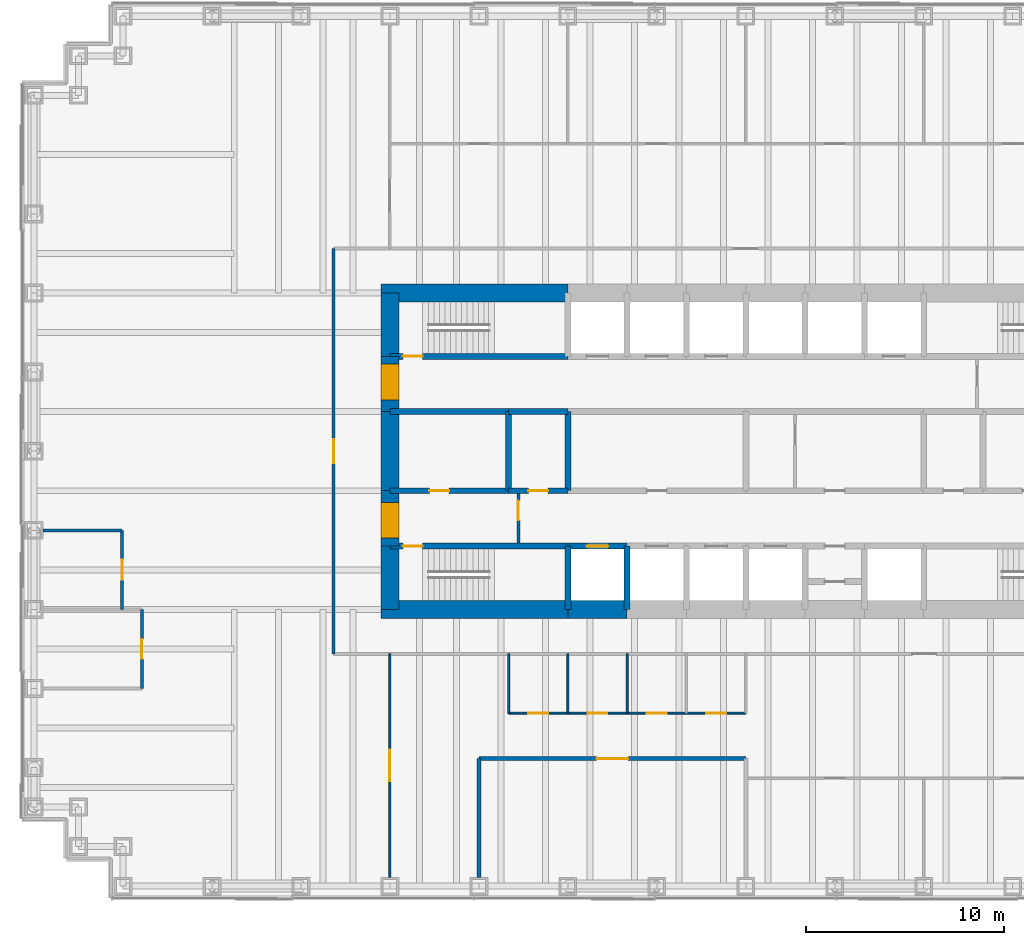
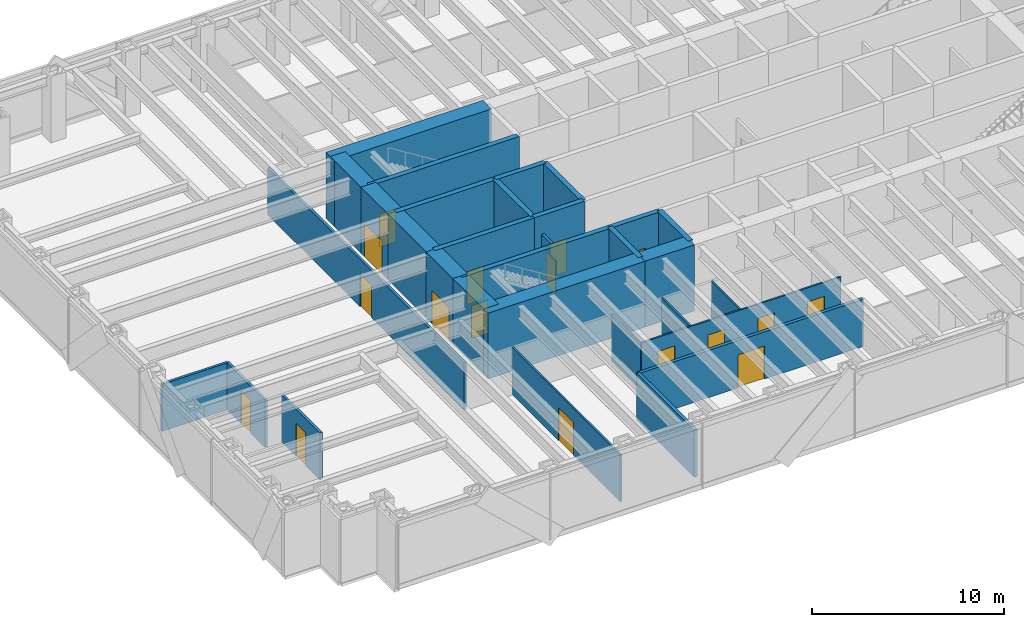
# One storey, part 11 of 15: 31 walls, 17 doors, 17 openings.
"""IFC4 building model written with IfcOpenShell, lengths in metres."""

from ifc_helpers import new_model, si_unit, direction, frame, frame_2d, origin, place, context, subcontext, project, spatial, rectangle, extrude, material, layer, layer_set, type_object, element, fill, save


model = new_model("IFC4")

# Units and contexts
model_context = context("Model", 3, precision=1e-05, world=origin(), true_north=direction((0.0, 1.0)))
body_context = subcontext(model_context, "Body", "Model", "MODEL_VIEW")
ifc_project = project(units=[si_unit("LENGTHUNIT", "METRE"), si_unit("AREAUNIT", "SQUARE_METRE"), si_unit("VOLUMEUNIT", "CUBIC_METRE"), si_unit("PLANEANGLEUNIT", "RADIAN"), si_unit("MASSUNIT", "GRAM", prefix="KILO")], contexts=[model_context])

# Site, building, storey
site_placement = place(None, origin())
site = spatial("IfcSite", under=ifc_project, at=site_placement, CompositionType="ELEMENT")
building_placement = place(site_placement, origin())
building = spatial("IfcBuilding", under=site, at=building_placement, Name="Rheinbord Bourse Tower", CompositionType="ELEMENT")
storey_placement = place(building_placement, frame((0.0, 0.0, 117.300048828125)))
storey = spatial("IfcBuildingStorey", under=building, at=storey_placement, Name="L25", CompositionType="ELEMENT", Elevation=117.300048828125)

# Wall, opening, door
ifc_material_1 = material(Name="Acoustic gypsum board partition", Category="gypsum board")
ifc_layer_1 = layer(ifc_material_1, 0.199951171875)
ifc_layer_set_1 = layer_set([ifc_layer_1], Name="ACOUSTIC PARTITION 200")
wall_type_1 = type_object("IfcWallType", Name="ACOUSTIC PARTITION 200", PredefinedType="PARTITIONING", material=ifc_layer_set_1)
wall_1_placement = place(storey_placement, frame((22.5, 8.449951171875, 0.0), z_axis=(0.0, 0.0, 1.0), x_axis=(1.0, 0.0, 0.0)))
wall_1 = element("IfcWall", 1, at=wall_1_placement, inside=storey, type_object=wall_type_1, Name="Partition L25-02", PredefinedType="PARTITIONING", context=body_context, shape_type="SweptSolid", body=[
    extrude(rectangle(XDim=13.5, YDim=0.199951171875, at=frame_2d((6.75, 0.0))), origin(), (0.0, 0.0, 1.0), 3.0),
])
opening_1_placement = place(wall_1_placement, frame((5.949951171875, 0.0, 0.0)))
opening_1 = element("IfcOpeningElement", 2, at=opening_1_placement, cuts=wall_1, Name="Opening 25D03", PredefinedType="OPENING", context=body_context, shape_type="SweptSolid", body=[
    extrude(rectangle(XDim=1.60009765625, YDim=2.10009765625, at=frame_2d((0.800048828125, 1.050048828125))), frame((0.0, 0.10986328125, 0.0), z_axis=(0.0, -1.0, 0.0), x_axis=(1.0, 0.0, 0.0)), (0.0, 0.0, 1.0), 0.219970703125),
])
ifc_material_2 = material(Name="Timber door", Category="wood")
door_type_1 = type_object("IfcDoorType", Name="DOUBLE ROOM DOOR 1600", OperationType="DOUBLE_DOOR_DOUBLE_SWING", PredefinedType="DOOR", material=ifc_material_2)
door_1_placement = place(opening_1_placement, origin())
door_1 = element("IfcDoor", 3, at=door_1_placement, inside=storey, type_object=door_type_1, Name="Test laboratory door L25", OperationType="SINGLE_SWING_LEFT", OverallHeight=2.10009765625, OverallWidth=1.60009765625, PredefinedType="DOOR", context=body_context, shape_type="SweptSolid", body=[
    extrude(rectangle(XDim=1.60009765625, YDim=2.10009765625, at=frame_2d((0.800048828125, 1.050048828125))), frame((0.0, 0.02490234375, 0.0), z_axis=(0.0, -1.0, 0.0), x_axis=(1.0, 0.0, 0.0)), (0.0, 0.0, 1.0), 0.050048828125),
])
fill(opening_1, door_1)

# Wall
wall_2_placement = place(storey_placement, frame((22.5, 2.449951171875, 0.0), z_axis=(0.0, 0.0, 1.0), x_axis=(0.0, 1.0, 0.0)))
element("IfcWall", 4, at=wall_2_placement, inside=storey, type_object=wall_type_1, Name="Partition L25-17", PredefinedType="PARTITIONING", context=body_context, shape_type="SweptSolid", body=[
    extrude(rectangle(XDim=6.0, YDim=0.199951171875, at=frame_2d((3.0, 0.0))), origin(), (0.0, 0.0, 1.0), 3.0),
])

# Wall, opening, door
ifc_material_3 = material(Name="Concrete C50/60", Category="concrete")
ifc_layer_2 = layer(ifc_material_3, 0.300048828125)
ifc_layer_set_2 = layer_set([ifc_layer_2], Name="CORE INNER WALL 300")
wall_type_2 = type_object("IfcWallType", Name="CORE INNER WALL 300", PredefinedType="SOLIDWALL", material=ifc_layer_set_2)
wall_3_placement = place(storey_placement, frame((18.0, 19.199951171875, 0.0), z_axis=(0.0, 0.0, 1.0), x_axis=(1.0, 0.0, 0.0)))
wall_3 = element("IfcWall", 5, at=wall_3_placement, inside=storey, type_object=wall_type_2, Name="Core wall A1 L25", PredefinedType="SOLIDWALL", context=body_context, shape_type="SweptSolid", body=[
    extrude(rectangle(XDim=9.0, YDim=0.300048828125, at=frame_2d((4.5, 0.0))), origin(), (0.0, 0.0, 1.0), 4.199951171875),
])
opening_2_placement = place(wall_3_placement, frame((0.64990234375, 0.0, 0.0)))
opening_2 = element("IfcOpeningElement", 6, at=opening_2_placement, cuts=wall_3, Name="Opening 2510", PredefinedType="OPENING", context=body_context, shape_type="SweptSolid", body=[
    extrude(rectangle(XDim=1.0, YDim=2.10009765625, at=frame_2d((0.5, 1.050048828125))), frame((0.0, 0.159912109375, 0.0), z_axis=(0.0, -1.0, 0.0), x_axis=(1.0, 0.0, 0.0)), (0.0, 0.0, 1.0), 0.320068359375),
])
ifc_material_4 = material(Name="Steel door", Category="steel")
door_type_2 = type_object("IfcDoorType", Name="DOOR 1000 EI30", OperationType="SINGLE_SWING_LEFT", PredefinedType="DOOR", material=ifc_material_4)
door_2_placement = place(opening_2_placement, origin())
door_2 = element("IfcDoor", 7, at=door_2_placement, inside=storey, type_object=door_type_2, Name="Stair door ST1 L25", OperationType="SINGLE_SWING_LEFT", OverallHeight=2.10009765625, OverallWidth=1.0, PredefinedType="DOOR", context=body_context, shape_type="SweptSolid", body=[
    extrude(rectangle(XDim=1.0, YDim=2.10009765625, at=frame_2d((0.5, 1.050048828125))), frame((0.0, 0.02490234375, 0.0), z_axis=(0.0, -1.0, 0.0), x_axis=(1.0, 0.0, 0.0)), (0.0, 0.0, 1.0), 0.050048828125),
])
fill(opening_2, door_2)

wall_4_placement = place(storey_placement, frame((27.0, 19.199951171875, 0.0), z_axis=(0.0, 0.0, 1.0), x_axis=(1.0, 0.0, 0.0)))
wall_4 = element("IfcWall", 8, at=wall_4_placement, inside=storey, type_object=wall_type_2, Name="Core wall A2 L25", PredefinedType="SOLIDWALL", context=body_context, shape_type="SweptSolid", body=[
    extrude(rectangle(XDim=3.0, YDim=0.300048828125, at=frame_2d((1.5, 0.0))), origin(), (0.0, 0.0, 1.0), 4.199951171875),
])
opening_3_placement = place(wall_4_placement, frame((0.949951171875, 0.0, 0.0)))
opening_3 = element("IfcOpeningElement", 9, at=opening_3_placement, cuts=wall_4, Name="Opening FL1", PredefinedType="OPENING", context=body_context, shape_type="SweptSolid", body=[
    extrude(rectangle(XDim=1.10009765625, YDim=2.199951171875, at=frame_2d((0.550048828125, 1.10009765625))), frame((0.0, 0.159912109375, 0.0), z_axis=(0.0, -1.0, 0.0), x_axis=(1.0, 0.0, 0.0)), (0.0, 0.0, 1.0), 0.320068359375),
])
ifc_material_5 = material(Name="Steel landing door", Category="steel")
door_type_3 = type_object("IfcDoorType", Name="LIFT LANDING DOOR 1100", OperationType="DOUBLE_DOOR_SLIDING", PredefinedType="USERDEFINED", material=ifc_material_5)
door_3_placement = place(opening_3_placement, origin())
door_3 = element("IfcDoor", 10, at=door_3_placement, inside=storey, type_object=door_type_3, Name="Lift landing door FL1 L25", ObjectType="LIFT LANDING DOOR", OperationType="DOUBLE_DOOR_SLIDING", OverallHeight=2.199951171875, OverallWidth=1.10009765625, PredefinedType="USERDEFINED", context=body_context, shape_type="SweptSolid", body=[
    extrude(rectangle(XDim=1.10009765625, YDim=2.199951171875, at=frame_2d((0.550048828125, 1.10009765625))), frame((0.0, 0.02490234375, 0.0), z_axis=(0.0, -1.0, 0.0), x_axis=(1.0, 0.0, 0.0)), (0.0, 0.0, 1.0), 0.050048828125),
])
fill(opening_3, door_3)

wall_5_placement = place(storey_placement, frame((18.0, 28.800048828125, 0.0), z_axis=(0.0, 0.0, 1.0), x_axis=(1.0, 0.0, 0.0)))
wall_5 = element("IfcWall", 11, at=wall_5_placement, inside=storey, type_object=wall_type_2, Name="Core wall B1 L25", PredefinedType="SOLIDWALL", context=body_context, shape_type="SweptSolid", body=[
    extrude(rectangle(XDim=9.0, YDim=0.300048828125, at=frame_2d((4.5, 0.0))), origin(), (0.0, 0.0, 1.0), 4.199951171875),
])
opening_4_placement = place(wall_5_placement, frame((0.64990234375, 0.0, 0.0)))
opening_4 = element("IfcOpeningElement", 12, at=opening_4_placement, cuts=wall_5, Name="Opening 2520", PredefinedType="OPENING", context=body_context, shape_type="SweptSolid", body=[
    extrude(rectangle(XDim=1.0, YDim=2.10009765625, at=frame_2d((0.5, 1.050048828125))), frame((0.0, 0.159912109375, 0.0), z_axis=(0.0, -1.0, 0.0), x_axis=(1.0, 0.0, 0.0)), (0.0, 0.0, 1.0), 0.320068359375),
])
door_4_placement = place(opening_4_placement, origin())
door_4 = element("IfcDoor", 13, at=door_4_placement, inside=storey, type_object=door_type_2, Name="Stair door ST2 L25", OperationType="SINGLE_SWING_LEFT", OverallHeight=2.10009765625, OverallWidth=1.0, PredefinedType="DOOR", context=body_context, shape_type="SweptSolid", body=[
    extrude(rectangle(XDim=1.0, YDim=2.10009765625, at=frame_2d((0.5, 1.050048828125))), frame((0.0, 0.02490234375, 0.0), z_axis=(0.0, -1.0, 0.0), x_axis=(1.0, 0.0, 0.0)), (0.0, 0.0, 1.0), 0.050048828125),
])
fill(opening_4, door_4)

wall_6_placement = place(storey_placement, frame((18.0, 22.0, 0.0), z_axis=(0.0, 0.0, 1.0), x_axis=(1.0, 0.0, 0.0)))
wall_6 = element("IfcWall", 14, at=wall_6_placement, inside=storey, type_object=wall_type_2, Name="Core wall C1 L25", PredefinedType="SOLIDWALL", context=body_context, shape_type="SweptSolid", body=[
    extrude(rectangle(XDim=6.0, YDim=0.300048828125, at=frame_2d((3.0, 0.0))), origin(), (0.0, 0.0, 1.0), 4.199951171875),
])
opening_5_placement = place(wall_6_placement, frame((2.0, 0.0, 0.0)))
opening_5 = element("IfcOpeningElement", 15, at=opening_5_placement, cuts=wall_6, Name="Opening 25R1", PredefinedType="OPENING", context=body_context, shape_type="SweptSolid", body=[
    extrude(rectangle(XDim=1.0, YDim=2.10009765625, at=frame_2d((0.5, 1.050048828125))), frame((0.0, 0.159912109375, 0.0), z_axis=(0.0, -1.0, 0.0), x_axis=(1.0, 0.0, 0.0)), (0.0, 0.0, 1.0), 0.320068359375),
])
ifc_material_6 = material(Name="Timber door", Category="wood")
door_type_4 = type_object("IfcDoorType", Name="DOOR 1000 WC", OperationType="SINGLE_SWING_LEFT", PredefinedType="DOOR", material=ifc_material_6)
door_5_placement = place(opening_5_placement, origin())
door_5 = element("IfcDoor", 16, at=door_5_placement, inside=storey, type_object=door_type_4, Name="WC men door L25", OperationType="SINGLE_SWING_LEFT", OverallHeight=2.10009765625, OverallWidth=1.0, PredefinedType="DOOR", context=body_context, shape_type="SweptSolid", body=[
    extrude(rectangle(XDim=1.0, YDim=2.10009765625, at=frame_2d((0.5, 1.050048828125))), frame((0.0, 0.02490234375, 0.0), z_axis=(0.0, -1.0, 0.0), x_axis=(1.0, 0.0, 0.0)), (0.0, 0.0, 1.0), 0.050048828125),
])
fill(opening_5, door_5)

wall_7_placement = place(storey_placement, frame((24.0, 22.0, 0.0), z_axis=(0.0, 0.0, 1.0), x_axis=(1.0, 0.0, 0.0)))
wall_7 = element("IfcWall", 17, at=wall_7_placement, inside=storey, type_object=wall_type_2, Name="Core wall C2 L25", PredefinedType="SOLIDWALL", context=body_context, shape_type="SweptSolid", body=[
    extrude(rectangle(XDim=3.0, YDim=0.300048828125, at=frame_2d((1.5, 0.0))), origin(), (0.0, 0.0, 1.0), 4.199951171875),
])
opening_6_placement = place(wall_7_placement, frame((1.0, 0.0, 0.0)))
opening_6 = element("IfcOpeningElement", 18, at=opening_6_placement, cuts=wall_7, Name="Opening 25R2", PredefinedType="OPENING", context=body_context, shape_type="SweptSolid", body=[
    extrude(rectangle(XDim=1.0, YDim=2.10009765625, at=frame_2d((0.5, 1.050048828125))), frame((0.0, 0.159912109375, 0.0), z_axis=(0.0, -1.0, 0.0), x_axis=(1.0, 0.0, 0.0)), (0.0, 0.0, 1.0), 0.320068359375),
])
door_6_placement = place(opening_6_placement, origin())
door_6 = element("IfcDoor", 19, at=door_6_placement, inside=storey, type_object=door_type_4, Name="Accessible WC door L25", OperationType="SINGLE_SWING_LEFT", OverallHeight=2.10009765625, OverallWidth=1.0, PredefinedType="DOOR", context=body_context, shape_type="SweptSolid", body=[
    extrude(rectangle(XDim=1.0, YDim=2.10009765625, at=frame_2d((0.5, 1.050048828125))), frame((0.0, 0.02490234375, 0.0), z_axis=(0.0, -1.0, 0.0), x_axis=(1.0, 0.0, 0.0)), (0.0, 0.0, 1.0), 0.050048828125),
])
fill(opening_6, door_6)

# Walls
wall_8_placement = place(storey_placement, frame((18.0, 26.0, 0.0), z_axis=(0.0, 0.0, 1.0), x_axis=(1.0, 0.0, 0.0)))
element("IfcWall", 20, at=wall_8_placement, inside=storey, type_object=wall_type_2, Name="Core wall D1 L25", PredefinedType="SOLIDWALL", context=body_context, shape_type="SweptSolid", body=[
    extrude(rectangle(XDim=6.0, YDim=0.300048828125, at=frame_2d((3.0, 0.0))), origin(), (0.0, 0.0, 1.0), 4.199951171875),
])
wall_9_placement = place(storey_placement, frame((24.0, 26.0, 0.0), z_axis=(0.0, 0.0, 1.0), x_axis=(1.0, 0.0, 0.0)))
element("IfcWall", 21, at=wall_9_placement, inside=storey, type_object=wall_type_2, Name="Core wall D2 L25", PredefinedType="SOLIDWALL", context=body_context, shape_type="SweptSolid", body=[
    extrude(rectangle(XDim=3.0, YDim=0.300048828125, at=frame_2d((1.5, 0.0))), origin(), (0.0, 0.0, 1.0), 4.199951171875),
])
for number, where, z_axis, x_axis, name in (
    (22, (27.0, 16.0, 0.0), (0.0, 0.0, 1.0), (0.0, 1.0, 0.0), "Core wall SX27 L25"),
    (23, (30.0, 16.0, 0.0), (0.0, 0.0, 1.0), (0.0, 1.0, 0.0), "Core wall SX30 L25"),
):
    element("IfcWall", number, at=place(storey_placement, frame(where, z_axis=z_axis, x_axis=x_axis)), inside=storey, type_object=wall_type_2, Name=name, PredefinedType="SOLIDWALL", context=body_context, shape_type="SweptSolid", body=[
        extrude(rectangle(XDim=3.199951171875, YDim=0.300048828125, at=frame_2d((1.60009765625, 0.0))), origin(), (0.0, 0.0, 1.0), 4.199951171875),
    ])
for number, where, z_axis, x_axis, name in (
    (24, (24.0, 22.0, 0.0), (0.0, 0.0, 1.0), (0.0, 1.0, 0.0), "Core wall MX24 L25"),
    (25, (27.0, 22.0, 0.0), (0.0, 0.0, 1.0), (0.0, 1.0, 0.0), "Core wall MX27 L25"),
):
    element("IfcWall", number, at=place(storey_placement, frame(where, z_axis=z_axis, x_axis=x_axis)), inside=storey, type_object=wall_type_2, Name=name, PredefinedType="SOLIDWALL", context=body_context, shape_type="SweptSolid", body=[
        extrude(rectangle(XDim=4.0, YDim=0.300048828125, at=frame_2d((2.0, 0.0))), origin(), (0.0, 0.0, 1.0), 4.199951171875),
    ])

# Wall, opening, door
ifc_material_7 = material(Name="Gypsum board fire partition", Category="gypsum board")
ifc_layer_3 = layer(ifc_material_7, 0.14990234375)
ifc_layer_set_3 = layer_set([ifc_layer_3], Name="CORE PARTITION 150 EI30")
wall_type_3 = type_object("IfcWallType", Name="CORE PARTITION 150 EI30", PredefinedType="PARTITIONING", material=ifc_layer_set_3)
wall_10_placement = place(storey_placement, frame((24.5, 19.35009765625, 0.0), z_axis=(0.0, 0.0, 1.0), x_axis=(0.0, 1.0, 0.0)))
wall_10 = element("IfcWall", 26, at=wall_10_placement, inside=storey, type_object=wall_type_3, Name="Core partition L25-4", PredefinedType="PARTITIONING", context=body_context, shape_type="SweptSolid", body=[
    extrude(rectangle(XDim=2.5, YDim=0.14990234375, at=frame_2d((1.25, 0.0))), origin(), (0.0, 0.0, 1.0), 3.0),
])
opening_7_placement = place(wall_10_placement, frame((1.14990234375, 0.0, 0.0)))
opening_7 = element("IfcOpeningElement", 27, at=opening_7_placement, cuts=wall_10, Name="Opening 25L5", PredefinedType="OPENING", context=body_context, shape_type="SweptSolid", body=[
    extrude(rectangle(XDim=1.0, YDim=2.10009765625, at=frame_2d((0.5, 1.050048828125))), frame((0.0, 0.0849609375, 0.0), z_axis=(0.0, -1.0, 0.0), x_axis=(1.0, 0.0, 0.0)), (0.0, 0.0, 1.0), 0.169921875),
])
door_7_placement = place(opening_7_placement, origin())
door_7 = element("IfcDoor", 28, at=door_7_placement, inside=storey, type_object=door_type_2, Name="Stair lobby door L25", OperationType="SINGLE_SWING_RIGHT", OverallHeight=2.10009765625, OverallWidth=1.0, PredefinedType="DOOR", context=body_context, shape_type="SweptSolid", body=[
    extrude(rectangle(XDim=1.0, YDim=2.10009765625, at=frame_2d((0.5, 1.050048828125))), frame((0.0, 0.02490234375, 0.0), z_axis=(0.0, -1.0, 0.0), x_axis=(1.0, 0.0, 0.0)), (0.0, 0.0, 1.0), 0.050048828125),
])
fill(opening_7, door_7)

# Walls
ifc_material_8 = material(Name="Concrete C50/60", Category="concrete")
ifc_layer_4 = layer(ifc_material_8, 0.89990234375)
ifc_layer_set_4 = layer_set([ifc_layer_4], Name="CORE WALL 900")
wall_type_4 = type_object("IfcWallType", Name="CORE WALL 900", PredefinedType="SHEAR", material=ifc_layer_set_4)
wall_11_placement = place(storey_placement, frame((17.550048828125, 16.0, 0.0), z_axis=(0.0, 0.0, 1.0), x_axis=(1.0, 0.0, 0.0)))
element("IfcWall", 29, at=wall_11_placement, inside=storey, type_object=wall_type_4, Name="Core wall S1 L25", PredefinedType="SHEAR", context=body_context, shape_type="SweptSolid", body=[
    extrude(rectangle(XDim=9.449951171875, YDim=0.89990234375, at=frame_2d((4.72509765625, 0.0))), origin(), (0.0, 0.0, 1.0), 4.199951171875),
])
wall_12_placement = place(storey_placement, frame((27.0, 16.0, 0.0), z_axis=(0.0, 0.0, 1.0), x_axis=(1.0, 0.0, 0.0)))
element("IfcWall", 30, at=wall_12_placement, inside=storey, type_object=wall_type_4, Name="Core wall S2 L25", PredefinedType="SHEAR", context=body_context, shape_type="SweptSolid", body=[
    extrude(rectangle(XDim=3.0, YDim=0.89990234375, at=frame_2d((1.5, 0.0))), origin(), (0.0, 0.0, 1.0), 4.199951171875),
])
wall_13_placement = place(storey_placement, frame((27.0, 32.0, 0.0), z_axis=(0.0, 0.0, 1.0), x_axis=(-1.0, 0.0, 0.0)))
element("IfcWall", 31, at=wall_13_placement, inside=storey, type_object=wall_type_4, Name="Core wall N8 L25", PredefinedType="SHEAR", context=body_context, shape_type="SweptSolid", body=[
    extrude(rectangle(XDim=9.449951171875, YDim=0.89990234375, at=frame_2d((4.72509765625, 0.0))), origin(), (0.0, 0.0, 1.0), 4.199951171875),
])
wall_14_placement = place(storey_placement, frame((18.0, 32.0, 0.0), z_axis=(0.0, 0.0, 1.0), x_axis=(0.0, -1.0, 0.0)))
element("IfcWall", 32, at=wall_14_placement, inside=storey, type_object=wall_type_4, Name="Core wall W1 L25", PredefinedType="SHEAR", context=body_context, shape_type="SweptSolid", body=[
    extrude(rectangle(XDim=3.199951171875, YDim=0.89990234375, at=frame_2d((1.60009765625, 0.0))), origin(), (0.0, 0.0, 1.0), 4.199951171875),
])

# Wall, opening, door
wall_15_placement = place(storey_placement, frame((18.0, 28.800048828125, 0.0), z_axis=(0.0, 0.0, 1.0), x_axis=(0.0, -1.0, 0.0)))
wall_15 = element("IfcWall", 33, at=wall_15_placement, inside=storey, type_object=wall_type_4, Name="Core wall W2 L25", PredefinedType="SHEAR", context=body_context, shape_type="SweptSolid", body=[
    extrude(rectangle(XDim=2.800048828125, YDim=0.89990234375, at=frame_2d((1.39990234375, 0.0))), origin(), (0.0, 0.0, 1.0), 4.199951171875),
])
opening_8_placement = place(wall_15_placement, frame((0.39990234375, 0.0, 0.0)))
opening_8 = element("IfcOpeningElement", 34, at=opening_8_placement, cuts=wall_15, Name="Opening 25L2", PredefinedType="OPENING", context=body_context, shape_type="SweptSolid", body=[
    extrude(rectangle(XDim=1.800048828125, YDim=2.10009765625, at=frame_2d((0.89990234375, 1.050048828125))), frame((0.0, 0.4599609375, 0.0), z_axis=(0.0, -1.0, 0.0), x_axis=(1.0, 0.0, 0.0)), (0.0, 0.0, 1.0), 0.919921875),
])
ifc_material_9 = material(Name="Steel door", Category="steel")
door_type_5 = type_object("IfcDoorType", Name="DOOR 1800 EI30 DOUBLE", OperationType="DOUBLE_DOOR_DOUBLE_SWING", PredefinedType="DOOR", material=ifc_material_9)
door_8_placement = place(opening_8_placement, origin())
door_8 = element("IfcDoor", 35, at=door_8_placement, inside=storey, type_object=door_type_5, Name="Lobby door 2 L25", OperationType="SINGLE_SWING_LEFT", OverallHeight=2.10009765625, OverallWidth=1.800048828125, PredefinedType="DOOR", context=body_context, shape_type="SweptSolid", body=[
    extrude(rectangle(XDim=1.800048828125, YDim=2.10009765625, at=frame_2d((0.89990234375, 1.050048828125))), frame((0.0, 0.44970703125, 0.0), z_axis=(0.0, -1.0, 0.0), x_axis=(1.0, 0.0, 0.0)), (0.0, 0.0, 1.0), 0.8994140625),
])
fill(opening_8, door_8)

# Wall
wall_16_placement = place(storey_placement, frame((18.0, 26.0, 0.0), z_axis=(0.0, 0.0, 1.0), x_axis=(0.0, -1.0, 0.0)))
element("IfcWall", 36, at=wall_16_placement, inside=storey, type_object=wall_type_4, Name="Core wall W3 L25", PredefinedType="SHEAR", context=body_context, shape_type="SweptSolid", body=[
    extrude(rectangle(XDim=4.0, YDim=0.89990234375, at=frame_2d((2.0, 0.0))), origin(), (0.0, 0.0, 1.0), 4.199951171875),
])

# Wall, opening, door
wall_17_placement = place(storey_placement, frame((18.0, 22.0, 0.0), z_axis=(0.0, 0.0, 1.0), x_axis=(0.0, -1.0, 0.0)))
wall_17 = element("IfcWall", 37, at=wall_17_placement, inside=storey, type_object=wall_type_4, Name="Core wall W4 L25", PredefinedType="SHEAR", context=body_context, shape_type="SweptSolid", body=[
    extrude(rectangle(XDim=2.800048828125, YDim=0.89990234375, at=frame_2d((1.39990234375, 0.0))), origin(), (0.0, 0.0, 1.0), 4.199951171875),
])
opening_9_placement = place(wall_17_placement, frame((0.60009765625, 0.0, 0.0)))
opening_9 = element("IfcOpeningElement", 38, at=opening_9_placement, cuts=wall_17, Name="Opening 25L1", PredefinedType="OPENING", context=body_context, shape_type="SweptSolid", body=[
    extrude(rectangle(XDim=1.800048828125, YDim=2.10009765625, at=frame_2d((0.89990234375, 1.050048828125))), frame((0.0, 0.4599609375, 0.0), z_axis=(0.0, -1.0, 0.0), x_axis=(1.0, 0.0, 0.0)), (0.0, 0.0, 1.0), 0.919921875),
])
door_9_placement = place(opening_9_placement, origin())
door_9 = element("IfcDoor", 39, at=door_9_placement, inside=storey, type_object=door_type_5, Name="Lobby door 1 L25", OperationType="SINGLE_SWING_LEFT", OverallHeight=2.10009765625, OverallWidth=1.800048828125, PredefinedType="DOOR", context=body_context, shape_type="SweptSolid", body=[
    extrude(rectangle(XDim=1.800048828125, YDim=2.10009765625, at=frame_2d((0.89990234375, 1.050048828125))), frame((0.0, 0.44970703125, 0.0), z_axis=(0.0, -1.0, 0.0), x_axis=(1.0, 0.0, 0.0)), (0.0, 0.0, 1.0), 0.8994140625),
])
fill(opening_9, door_9)

# Wall
wall_18_placement = place(storey_placement, frame((18.0, 19.199951171875, 0.0), z_axis=(0.0, 0.0, 1.0), x_axis=(0.0, -1.0, 0.0)))
element("IfcWall", 40, at=wall_18_placement, inside=storey, type_object=wall_type_4, Name="Core wall W5 L25", PredefinedType="SHEAR", context=body_context, shape_type="SweptSolid", body=[
    extrude(rectangle(XDim=3.199951171875, YDim=0.89990234375, at=frame_2d((1.60009765625, 0.0))), origin(), (0.0, 0.0, 1.0), 4.199951171875),
])

# Wall, opening, door
ifc_material_10 = material(Name="Gypsum board corridor partition", Category="gypsum board")
ifc_layer_5 = layer(ifc_material_10, 0.14990234375)
ifc_layer_set_5 = layer_set([ifc_layer_5], Name="CORRIDOR PARTITION 150 EI30")
wall_type_5 = type_object("IfcWallType", Name="CORRIDOR PARTITION 150 EI30", PredefinedType="PARTITIONING", material=ifc_layer_set_5)
wall_19_placement = place(storey_placement, frame((15.14990234375, 13.75, 0.0), z_axis=(0.0, 0.0, 1.0), x_axis=(0.0, 1.0, 0.0)))
wall_19 = element("IfcWall", 41, at=wall_19_placement, inside=storey, type_object=wall_type_5, Name="Partition L25-14", PredefinedType="PARTITIONING", context=body_context, shape_type="SweptSolid", body=[
    extrude(rectangle(XDim=20.5, YDim=0.14990234375, at=frame_2d((10.25, 0.0))), origin(), (0.0, 0.0, 1.0), 3.0),
])
opening_10_placement = place(wall_19_placement, frame((9.64990234375, 0.0, 0.0)))
opening_10 = element("IfcOpeningElement", 42, at=opening_10_placement, cuts=wall_19, Name="Opening 25D19", PredefinedType="OPENING", context=body_context, shape_type="SweptSolid", body=[
    extrude(rectangle(XDim=1.199951171875, YDim=2.10009765625, at=frame_2d((0.60009765625, 1.050048828125))), frame((0.0, 0.0849609375, 0.0), z_axis=(0.0, -1.0, 0.0), x_axis=(1.0, 0.0, 0.0)), (0.0, 0.0, 1.0), 0.169921875),
])
ifc_material_11 = material(Name="Timber fire door", Category="wood")
door_type_6 = type_object("IfcDoorType", Name="SUITE ENTRANCE DOOR 1200 EI30", OperationType="SINGLE_SWING_LEFT", PredefinedType="DOOR", material=ifc_material_11)
door_10_placement = place(opening_10_placement, origin())
door_10 = element("IfcDoor", 43, at=door_10_placement, inside=storey, type_object=door_type_6, Name="Suite entrance 1 door L25", OperationType="SINGLE_SWING_LEFT", OverallHeight=2.10009765625, OverallWidth=1.199951171875, PredefinedType="DOOR", context=body_context, shape_type="SweptSolid", body=[
    extrude(rectangle(XDim=1.199951171875, YDim=2.10009765625, at=frame_2d((0.60009765625, 1.050048828125))), frame((0.0, 0.02490234375, 0.0), z_axis=(0.0, -1.0, 0.0), x_axis=(1.0, 0.0, 0.0)), (0.0, 0.0, 1.0), 0.050048828125),
])
fill(opening_10, door_10)

ifc_material_12 = material(Name="Gypsum board fire partition", Category="gypsum board")
ifc_layer_6 = layer(ifc_material_12, 0.14990234375)
ifc_layer_set_6 = layer_set([ifc_layer_6], Name="FIRE PARTITION 150 EI60")
wall_type_6 = type_object("IfcWallType", Name="FIRE PARTITION 150 EI60", PredefinedType="PARTITIONING", material=ifc_layer_set_6)
wall_20_placement = place(storey_placement, frame((5.449951171875, 12.0, 0.0), z_axis=(0.0, 0.0, 1.0), x_axis=(0.0, 1.0, 0.0)))
wall_20 = element("IfcWall", 44, at=wall_20_placement, inside=storey, type_object=wall_type_6, Name="Partition L25-13", PredefinedType="PARTITIONING", context=body_context, shape_type="SweptSolid", body=[
    extrude(rectangle(XDim=4.0, YDim=0.14990234375, at=frame_2d((2.0, 0.0))), origin(), (0.0, 0.0, 1.0), 3.0),
])
opening_11_placement = place(wall_20_placement, frame((1.5, 0.0, 0.0)))
opening_11 = element("IfcOpeningElement", 45, at=opening_11_placement, cuts=wall_20, Name="Opening 25D08", PredefinedType="OPENING", context=body_context, shape_type="SweptSolid", body=[
    extrude(rectangle(XDim=1.0, YDim=2.10009765625, at=frame_2d((0.5, 1.050048828125))), frame((0.0, 0.0849609375, 0.0), z_axis=(0.0, -1.0, 0.0), x_axis=(1.0, 0.0, 0.0)), (0.0, 0.0, 1.0), 0.169921875),
])
ifc_material_13 = material(Name="Timber fire door", Category="wood")
door_type_7 = type_object("IfcDoorType", Name="FIRE DOOR 1000 EI60", OperationType="SINGLE_SWING_LEFT", PredefinedType="DOOR", material=ifc_material_13)
door_11_placement = place(opening_11_placement, origin())
door_11 = element("IfcDoor", 46, at=door_11_placement, inside=storey, type_object=door_type_7, Name="Server staging room door L25", OperationType="SINGLE_SWING_LEFT", OverallHeight=2.10009765625, OverallWidth=1.0, PredefinedType="DOOR", context=body_context, shape_type="SweptSolid", body=[
    extrude(rectangle(XDim=1.0, YDim=2.10009765625, at=frame_2d((0.5, 1.050048828125))), frame((0.0, 0.02490234375, 0.0), z_axis=(0.0, -1.0, 0.0), x_axis=(1.0, 0.0, 0.0)), (0.0, 0.0, 1.0), 0.050048828125),
])
fill(opening_11, door_11)

# Wall, openings, doors
ifc_material_14 = material(Name="Toughened laminated glass partition", Category="glass")
ifc_layer_7 = layer(ifc_material_14, 0.10009765625)
ifc_layer_set_7 = layer_set([ifc_layer_7], Name="GLAZED PARTITION 100")
wall_type_7 = type_object("IfcWallType", Name="GLAZED PARTITION 100", PredefinedType="PARTITIONING", material=ifc_layer_set_7)
wall_21_placement = place(storey_placement, frame((24.0, 10.75, 0.0), z_axis=(0.0, 0.0, 1.0), x_axis=(1.0, 0.0, 0.0)))
wall_21 = element("IfcWall", 47, at=wall_21_placement, inside=storey, type_object=wall_type_7, Name="Partition L25-03", PredefinedType="PARTITIONING", context=body_context, shape_type="SweptSolid", body=[
    extrude(rectangle(XDim=12.0, YDim=0.10009765625, at=frame_2d((6.0, 0.0))), origin(), (0.0, 0.0, 1.0), 3.0),
])
opening_12_placement = place(wall_21_placement, frame((1.0, 0.0, 0.0)))
opening_12 = element("IfcOpeningElement", 48, at=opening_12_placement, cuts=wall_21, Name="Opening 25D04", PredefinedType="OPENING", context=body_context, shape_type="SweptSolid", body=[
    extrude(rectangle(XDim=1.0, YDim=2.10009765625, at=frame_2d((0.5, 1.050048828125))), frame((0.0, 0.06005859375, 0.0), z_axis=(0.0, -1.0, 0.0), x_axis=(1.0, 0.0, 0.0)), (0.0, 0.0, 1.0), 0.1201171875),
])
opening_13_placement = place(wall_21_placement, frame((4.0, 0.0, 0.0)))
opening_13 = element("IfcOpeningElement", 49, at=opening_13_placement, cuts=wall_21, Name="Opening 25D05", PredefinedType="OPENING", context=body_context, shape_type="SweptSolid", body=[
    extrude(rectangle(XDim=1.0, YDim=2.10009765625, at=frame_2d((0.5, 1.050048828125))), frame((0.0, 0.06005859375, 0.0), z_axis=(0.0, -1.0, 0.0), x_axis=(1.0, 0.0, 0.0)), (0.0, 0.0, 1.0), 0.1201171875),
])
opening_14_placement = place(wall_21_placement, frame((7.0, 0.0, 0.0)))
opening_14 = element("IfcOpeningElement", 50, at=opening_14_placement, cuts=wall_21, Name="Opening 25D06", PredefinedType="OPENING", context=body_context, shape_type="SweptSolid", body=[
    extrude(rectangle(XDim=1.0, YDim=2.10009765625, at=frame_2d((0.5, 1.050048828125))), frame((0.0, 0.06005859375, 0.0), z_axis=(0.0, -1.0, 0.0), x_axis=(1.0, 0.0, 0.0)), (0.0, 0.0, 1.0), 0.1201171875),
])
opening_15_placement = place(wall_21_placement, frame((10.0, 0.0, 0.0)))
opening_15 = element("IfcOpeningElement", 51, at=opening_15_placement, cuts=wall_21, Name="Opening 25D07", PredefinedType="OPENING", context=body_context, shape_type="SweptSolid", body=[
    extrude(rectangle(XDim=1.0, YDim=2.10009765625, at=frame_2d((0.5, 1.050048828125))), frame((0.0, 0.06005859375, 0.0), z_axis=(0.0, -1.0, 0.0), x_axis=(1.0, 0.0, 0.0)), (0.0, 0.0, 1.0), 0.1201171875),
])
ifc_material_15 = material(Name="Timber door", Category="wood")
door_type_8 = type_object("IfcDoorType", Name="ROOM DOOR 1000", OperationType="SINGLE_SWING_LEFT", PredefinedType="DOOR", material=ifc_material_15)
door_12_placement = place(opening_12_placement, origin())
door_12 = element("IfcDoor", 52, at=door_12_placement, inside=storey, type_object=door_type_8, Name="Quiet room door L25", OperationType="SINGLE_SWING_LEFT", OverallHeight=2.10009765625, OverallWidth=1.0, PredefinedType="DOOR", context=body_context, shape_type="SweptSolid", body=[
    extrude(rectangle(XDim=1.0, YDim=2.10009765625, at=frame_2d((0.5, 1.050048828125))), frame((0.0, 0.02490234375, 0.0), z_axis=(0.0, -1.0, 0.0), x_axis=(1.0, 0.0, 0.0)), (0.0, 0.0, 1.0), 0.050048828125),
])
fill(opening_12, door_12)
door_13_placement = place(opening_13_placement, origin())
door_13 = element("IfcDoor", 53, at=door_13_placement, inside=storey, type_object=door_type_8, Name="Quiet room door L25", OperationType="SINGLE_SWING_LEFT", OverallHeight=2.10009765625, OverallWidth=1.0, PredefinedType="DOOR", context=body_context, shape_type="SweptSolid", body=[
    extrude(rectangle(XDim=1.0, YDim=2.10009765625, at=frame_2d((0.5, 1.050048828125))), frame((0.0, 0.02490234375, 0.0), z_axis=(0.0, -1.0, 0.0), x_axis=(1.0, 0.0, 0.0)), (0.0, 0.0, 1.0), 0.050048828125),
])
fill(opening_13, door_13)
door_14_placement = place(opening_14_placement, origin())
door_14 = element("IfcDoor", 54, at=door_14_placement, inside=storey, type_object=door_type_8, Name="Quiet room door L25", OperationType="SINGLE_SWING_RIGHT", OverallHeight=2.10009765625, OverallWidth=1.0, PredefinedType="DOOR", context=body_context, shape_type="SweptSolid", body=[
    extrude(rectangle(XDim=1.0, YDim=2.10009765625, at=frame_2d((0.5, 1.050048828125))), frame((0.0, 0.02490234375, 0.0), z_axis=(0.0, -1.0, 0.0), x_axis=(1.0, 0.0, 0.0)), (0.0, 0.0, 1.0), 0.050048828125),
])
fill(opening_14, door_14)
door_15_placement = place(opening_15_placement, origin())
door_15 = element("IfcDoor", 55, at=door_15_placement, inside=storey, type_object=door_type_8, Name="Quiet room door L25", OperationType="SINGLE_SWING_RIGHT", OverallHeight=2.10009765625, OverallWidth=1.0, PredefinedType="DOOR", context=body_context, shape_type="SweptSolid", body=[
    extrude(rectangle(XDim=1.0, YDim=2.10009765625, at=frame_2d((0.5, 1.050048828125))), frame((0.0, 0.02490234375, 0.0), z_axis=(0.0, -1.0, 0.0), x_axis=(1.0, 0.0, 0.0)), (0.0, 0.0, 1.0), 0.050048828125),
])
fill(opening_15, door_15)

# Wall, opening, door
wall_22_placement = place(storey_placement, frame((18.0, 2.449951171875, 0.0), z_axis=(0.0, 0.0, 1.0), x_axis=(0.0, 1.0, 0.0)))
wall_22 = element("IfcWall", 56, at=wall_22_placement, inside=storey, type_object=wall_type_7, Name="Partition L25-15", PredefinedType="PARTITIONING", context=body_context, shape_type="SweptSolid", body=[
    extrude(rectangle(XDim=11.300048828125, YDim=0.10009765625, at=frame_2d((5.64990234375, 0.0))), origin(), (0.0, 0.0, 1.0), 3.0),
])
opening_16_placement = place(wall_22_placement, frame((4.85009765625, 0.0, 0.0)))
opening_16 = element("IfcOpeningElement", 57, at=opening_16_placement, cuts=wall_22, Name="Opening 25D15", PredefinedType="OPENING", context=body_context, shape_type="SweptSolid", body=[
    extrude(rectangle(XDim=1.60009765625, YDim=2.10009765625, at=frame_2d((0.800048828125, 1.050048828125))), frame((0.0, 0.06005859375, 0.0), z_axis=(0.0, -1.0, 0.0), x_axis=(1.0, 0.0, 0.0)), (0.0, 0.0, 1.0), 0.1201171875),
])
door_16_placement = place(opening_16_placement, origin())
door_16 = element("IfcDoor", 58, at=door_16_placement, inside=storey, type_object=door_type_1, Name="Open area door L25", OperationType="SINGLE_SWING_LEFT", OverallHeight=2.10009765625, OverallWidth=1.60009765625, PredefinedType="DOOR", context=body_context, shape_type="SweptSolid", body=[
    extrude(rectangle(XDim=1.60009765625, YDim=2.10009765625, at=frame_2d((0.800048828125, 1.050048828125))), frame((0.0, 0.02490234375, 0.0), z_axis=(0.0, -1.0, 0.0), x_axis=(1.0, 0.0, 0.0)), (0.0, 0.0, 1.0), 0.050048828125),
])
fill(opening_16, door_16)

# Walls
for number, where, z_axis, x_axis, name in (
    (59, (24.0, 10.75, 0.0), (0.0, 0.0, 1.0), (0.0, 1.0, 0.0), "Partition L25-18"),
    (60, (27.0, 10.75, 0.0), (0.0, 0.0, 1.0), (0.0, 1.0, 0.0), "Partition L25-19"),
    (61, (30.0, 10.75, 0.0), (0.0, 0.0, 1.0), (0.0, 1.0, 0.0), "Partition L25-21"),
):
    element("IfcWall", number, at=place(storey_placement, frame(where, z_axis=z_axis, x_axis=x_axis)), inside=storey, type_object=wall_type_7, Name=name, PredefinedType="PARTITIONING", context=body_context, shape_type="SweptSolid", body=[
        extrude(rectangle(XDim=3.0, YDim=0.10009765625, at=frame_2d((1.5, 0.0))), origin(), (0.0, 0.0, 1.0), 3.0),
    ])
ifc_material_16 = material(Name="Gypsum board partition", Category="gypsum board")
ifc_layer_8 = layer(ifc_material_16, 0.14990234375)
ifc_layer_set_8 = layer_set([ifc_layer_8], Name="PARTITION 150")
wall_type_8 = type_object("IfcWallType", Name="PARTITION 150", PredefinedType="PARTITIONING", material=ifc_layer_set_8)
wall_23_placement = place(storey_placement, frame((0.449951171875, 20.0, 0.0), z_axis=(0.0, 0.0, 1.0), x_axis=(1.0, 0.0, 0.0)))
element("IfcWall", 62, at=wall_23_placement, inside=storey, type_object=wall_type_8, Name="Partition L25-07", PredefinedType="PARTITIONING", context=body_context, shape_type="SweptSolid", body=[
    extrude(rectangle(XDim=4.0, YDim=0.14990234375, at=frame_2d((2.0, 0.0))), origin(), (0.0, 0.0, 1.0), 3.0),
])

# Wall, opening, door
wall_24_placement = place(storey_placement, frame((4.449951171875, 16.0, 0.0), z_axis=(0.0, 0.0, 1.0), x_axis=(0.0, 1.0, 0.0)))
wall_24 = element("IfcWall", 63, at=wall_24_placement, inside=storey, type_object=wall_type_8, Name="Partition L25-12", PredefinedType="PARTITIONING", context=body_context, shape_type="SweptSolid", body=[
    extrude(rectangle(XDim=4.0, YDim=0.14990234375, at=frame_2d((2.0, 0.0))), origin(), (0.0, 0.0, 1.0), 3.0),
])
opening_17_placement = place(wall_24_placement, frame((1.5, 0.0, 0.0)))
opening_17 = element("IfcOpeningElement", 64, at=opening_17_placement, cuts=wall_24, Name="Opening 25D09", PredefinedType="OPENING", context=body_context, shape_type="SweptSolid", body=[
    extrude(rectangle(XDim=1.0, YDim=2.10009765625, at=frame_2d((0.5, 1.050048828125))), frame((0.0, 0.0849609375, 0.0), z_axis=(0.0, -1.0, 0.0), x_axis=(1.0, 0.0, 0.0)), (0.0, 0.0, 1.0), 0.169921875),
])
door_17_placement = place(opening_17_placement, origin())
door_17 = element("IfcDoor", 65, at=door_17_placement, inside=storey, type_object=door_type_8, Name="Store door L25", OperationType="SINGLE_SWING_LEFT", OverallHeight=2.10009765625, OverallWidth=1.0, PredefinedType="DOOR", context=body_context, shape_type="SweptSolid", body=[
    extrude(rectangle(XDim=1.0, YDim=2.10009765625, at=frame_2d((0.5, 1.050048828125))), frame((0.0, 0.02490234375, 0.0), z_axis=(0.0, -1.0, 0.0), x_axis=(1.0, 0.0, 0.0)), (0.0, 0.0, 1.0), 0.050048828125),
])
fill(opening_17, door_17)

save(model, "model.ifc")
